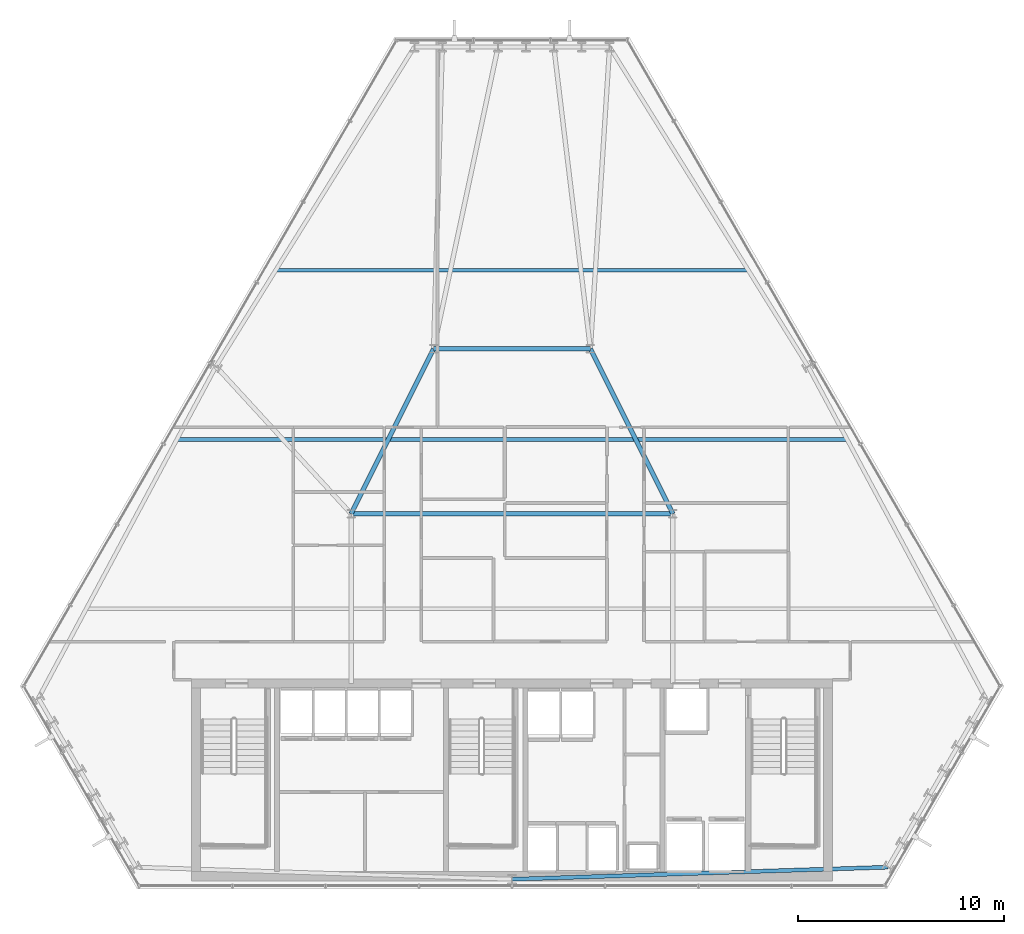
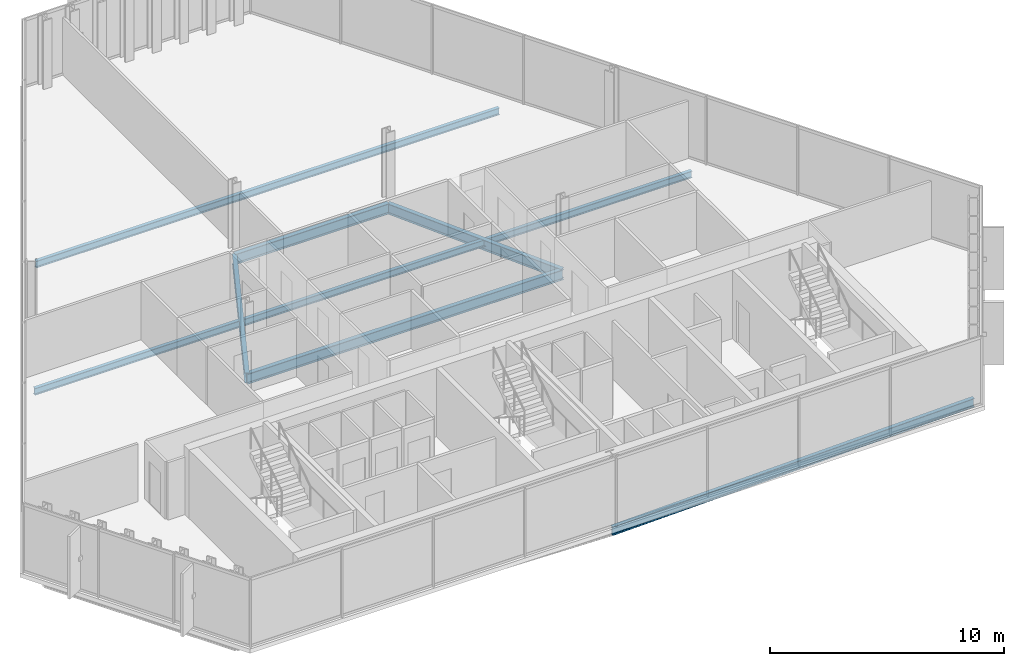
# One storey, part 15 of 33: 7 beams.
"""IFC4 building model written with IfcOpenShell, lengths in metres."""

import ifcopenshell
import ifcopenshell.guid

model = None  # the IFC model being written
_history = None  # IfcOwnerHistory: only IFC2X3 demands one
_inside = {}  # id of a spatial element -> (the spatial element, [elements in it])
_under = {}  # id of a project, library or spatial element -> (it, [spatial elements below it])
_declared = {}  # id of a project -> (the project, [libraries it declares])
_typed = {}  # id of a type object -> (the type object, [elements of that type])
_made_of = {}  # id of a material, layer set ... -> (it, [elements and type objects made of it])


def new_model(schema):
    """Start an empty IFC model of exactly this schema.

    Asked for "IFC4X3", IfcOpenShell would pick the latest addendum, in which some entities
    have other attributes; the version numbers below select the first issue.
    IFC2X3 requires an IfcOwnerHistory on every rooted entity: one is made here for all.
    """
    global model, _history
    if schema == "IFC4X3":
        model = ifcopenshell.file(schema_version=(4, 3, 0, 0))
    else:
        model = ifcopenshell.file(schema=schema)
    _inside.clear()
    _under.clear()
    _declared.clear()
    _typed.clear()
    _made_of.clear()
    _history = None
    if model.schema == "IFC2X3":
        org = make("IfcOrganization", Name="unknown")
        user = make(
            "IfcPersonAndOrganization",
            ThePerson=make("IfcPerson", FamilyName="unknown"),
            TheOrganization=org,
        )
        app = make(
            "IfcApplication",
            ApplicationDeveloper=org,
            Version="unknown",
            ApplicationFullName="unknown",
            ApplicationIdentifier="unknown",
        )
        _history = make(
            "IfcOwnerHistory",
            OwningUser=user,
            OwningApplication=app,
            ChangeAction="ADDED",
            CreationDate=0,
        )
    return model


def make(cls, **values):
    """One entity of the class cls with the attributes given. An attribute that is None is left unset."""
    return model.create_entity(
        cls, **{name: value for name, value in values.items() if value is not None}
    )


def rooted(cls, **values):
    """An entity with a GlobalId (a new one), such as an element, a storey or a relation."""
    return make(cls, GlobalId=ifcopenshell.guid.new(), OwnerHistory=_history, **values)


def si_unit(unit_type, name, prefix=None):
    """IfcSIUnit, for example si_unit("LENGTHUNIT", "METRE", prefix="MILLI")."""
    return make("IfcSIUnit", UnitType=unit_type, Prefix=prefix, Name=name)


def assignment(units):
    """IfcUnitAssignment: the units of a project."""
    return None if units is None else make("IfcUnitAssignment", Units=units)


def point(xyz):
    """IfcCartesianPoint."""
    return None if xyz is None else make("IfcCartesianPoint", Coordinates=xyz)


def direction(xyz):
    """IfcDirection."""
    return None if xyz is None else make("IfcDirection", DirectionRatios=xyz)


def frame(location, z_axis=None, x_axis=None):
    """IfcAxis2Placement3D, a coordinate frame: its origin and axes. An axis left out is left unset."""
    return make(
        "IfcAxis2Placement3D",
        Location=point(location),
        Axis=direction(z_axis),
        RefDirection=direction(x_axis),
    )


def frame_2d(location, x_axis=None):
    """IfcAxis2Placement2D, a coordinate frame in the plane: its origin and x axis."""
    return make(
        "IfcAxis2Placement2D", Location=point(location), RefDirection=direction(x_axis)
    )


def origin():
    """The frame at (0, 0, 0) with its axes left unset."""
    return frame((0.0, 0.0, 0.0))


def origin_2d():
    """The frame at (0, 0) in the plane with its x axis left unset."""
    return frame_2d((0.0, 0.0))


def place(relative_to, where):
    """IfcLocalPlacement: puts the frame where relative to a parent placement (None: the world)."""
    return make(
        "IfcLocalPlacement", PlacementRelTo=relative_to, RelativePlacement=where
    )


def context(
    kind, dimensions, precision=None, world=None, true_north=None, identifier=None
):
    """IfcGeometricRepresentationContext, for example the 3D "Model" context."""
    return make(
        "IfcGeometricRepresentationContext",
        ContextIdentifier=identifier,
        ContextType=kind,
        CoordinateSpaceDimension=dimensions,
        Precision=precision,
        WorldCoordinateSystem=world,
        TrueNorth=true_north,
    )


def subcontext(parent, identifier, kind, view, scale=None):
    """IfcGeometricRepresentationSubContext, for example "Body" below "Model"."""
    return make(
        "IfcGeometricRepresentationSubContext",
        ContextIdentifier=identifier,
        ContextType=kind,
        ParentContext=parent,
        TargetScale=scale,
        TargetView=view,
    )


def project(units=None, contexts=None):
    """IfcProject with its units and contexts."""
    return rooted(
        "IfcProject",
        Name="project",
        RepresentationContexts=contexts,
        UnitsInContext=assignment(units),
    )


def spatial(cls, under=None, at=None, **own):
    """A site, building, storey or space (cls), placed at a placement, below another one or the project."""
    s = rooted(cls, ObjectPlacement=at, **own)
    if under is not None:
        _under.setdefault(under.id(), (under, []))[1].append(s)
    return s


def profile(cls, at=None, kind="AREA", **sizes):
    """A parametric profile (cls). Its sizes go by their IFC names, for example OverallWidth=200.0."""
    return make(cls, ProfileType=kind, Position=at, **sizes)


def i_section(**sizes):
    """IfcIShapeProfileDef."""
    return profile("IfcIShapeProfileDef", **sizes)


def extrude(swept, where, along, depth):
    """IfcExtrudedAreaSolid: the profile swept, set in the frame where, extruded along a direction by depth."""
    return make(
        "IfcExtrudedAreaSolid",
        SweptArea=swept,
        Position=where,
        ExtrudedDirection=direction(along),
        Depth=depth,
    )


def shape(context_of_items, identifier, shape_type, items):
    """IfcShapeRepresentation: the items that make up one representation, for example the "Body"."""
    return make(
        "IfcShapeRepresentation",
        ContextOfItems=context_of_items,
        RepresentationIdentifier=identifier,
        RepresentationType=shape_type,
        Items=items,
    )


def material(Name=None, Category=None):
    """IfcMaterial."""
    return make("IfcMaterial", Name=Name, Category=Category)


def material_profile(
    of_material, cross_section, Name=None, Category=None, Priority=None
):
    """IfcMaterialProfile: a cross section and its material."""
    return make(
        "IfcMaterialProfile",
        Name=Name,
        Material=of_material,
        Profile=cross_section,
        Priority=Priority,
        Category=Category,
    )


def profile_set(profiles, Name=None, composite=None):
    """IfcMaterialProfileSet."""
    return make(
        "IfcMaterialProfileSet",
        Name=Name,
        MaterialProfiles=profiles,
        CompositeProfile=composite,
    )


def made_of(thing, what):
    """Note that an element or type object is made of a material, layer set ...; save() writes the relation."""
    if what is not None:
        _made_of.setdefault(what.id(), (what, []))[1].append(thing)
    return thing


def type_object(cls, material=None, **own):
    """A type object (cls), such as IfcWallType, which elements share."""
    return made_of(rooted(cls, **own), material)


def element(
    cls,
    number,
    at=None,
    inside=None,
    cuts=None,
    type_object=None,
    material=None,
    context=None,
    identifier="Body",
    shape_type=None,
    held_by="IfcProductDefinitionShape",
    body=None,
    shapes=None,
    **own,
):
    """One element of the class cls, such as IfcWall. Its Tag is "e" and its number.

    at: its placement. inside: the storey or other place that contains it. cuts: it is an
    opening in that element (IfcRelVoidsElement). A single representation is given by context,
    identifier, shape_type and body (its items); several are given by shapes. held_by: the class
    of the entity that holds the representations. save() writes the other relations.
    """
    e = rooted(cls, Tag="e%d" % number, ObjectPlacement=at, **own)
    if body is not None:
        shapes = [shape(context, identifier, shape_type, body)]
    if shapes is not None:
        e.Representation = make(held_by, Representations=shapes)
    if inside is not None:
        _inside.setdefault(inside.id(), (inside, []))[1].append(e)
    if cuts is not None:
        rooted(
            "IfcRelVoidsElement", RelatingBuildingElement=cuts, RelatedOpeningElement=e
        )
    if type_object is not None:
        _typed.setdefault(type_object.id(), (type_object, []))[1].append(e)
    return made_of(e, material)


def aggregate(whole, parts):
    """IfcRelAggregates: a whole, such as a stair, and the parts it consists of."""
    return rooted("IfcRelAggregates", RelatingObject=whole, RelatedObjects=parts)


def save(model, path):
    """Write the relations noted so far, then the file.

    IfcRelAggregates (storeys below a building ...), IfcRelContainedInSpatialStructure (elements
    in a storey), IfcRelDefinesByType, IfcRelAssociatesMaterial and IfcRelDeclares: one each for
    every whole, place, type object, material and project.
    """
    for whole, parts in _under.values():
        aggregate(whole, parts)
    for where, things in _inside.values():
        rooted(
            "IfcRelContainedInSpatialStructure",
            RelatedElements=things,
            RelatingStructure=where,
        )
    for kind, things in _typed.values():
        rooted("IfcRelDefinesByType", RelatedObjects=things, RelatingType=kind)
    for what, things in _made_of.values():
        rooted("IfcRelAssociatesMaterial", RelatedObjects=things, RelatingMaterial=what)
    for by, libraries in _declared.values():
        rooted("IfcRelDeclares", RelatingContext=by, RelatedDefinitions=libraries)
    model.write(path)


model = new_model("IFC4")

# Units and contexts
model_context = context("Model", 3, precision=1e-05, world=origin(), true_north=direction((0.0, 1.0)))
body_context = subcontext(model_context, "Body", "Model", "MODEL_VIEW")
ifc_project = project(units=[si_unit("LENGTHUNIT", "METRE"), si_unit("AREAUNIT", "SQUARE_METRE"), si_unit("VOLUMEUNIT", "CUBIC_METRE"), si_unit("PLANEANGLEUNIT", "RADIAN"), si_unit("MASSUNIT", "GRAM", prefix="KILO")], contexts=[model_context])

# Site, building, storey
site_placement = place(None, origin())
site = spatial("IfcSite", under=ifc_project, at=site_placement, CompositionType="ELEMENT")
building_placement = place(site_placement, origin())
building = spatial("IfcBuilding", under=site, at=building_placement, Name="Ndaravel Arena Tower", CompositionType="ELEMENT")
storey_placement = place(building_placement, frame((0.0, 0.0, 153.60009765625)))
storey = spatial("IfcBuildingStorey", under=building, at=storey_placement, Name="L36", CompositionType="ELEMENT", Elevation=153.60009765625)

# Beams
ifc_material_1 = material(Name="Steel S355", Category="steel")
ifc_material_profile_1 = material_profile(ifc_material_1, i_section(OverallWidth=0.210693359375, OverallDepth=0.53955078125, WebThickness=0.01171875, FlangeThickness=0.018798828125, FilletRadius=0.0126953125, at=origin_2d()), Name="UB 533x210x109")
ifc_profile_set_1 = profile_set([ifc_material_profile_1], Name="Steel S355")
beam_type_1 = type_object("IfcBeamType", Name="BM-GIRD-UB533", PredefinedType="BEAM", material=ifc_profile_set_1)
beam_1_placement = place(storey_placement, frame((34.199951171875, 23.199951171875, -0.48974609375), z_axis=(1.0, 0.0, 0.0), x_axis=(0.0, 1.0, 0.0)))
element("IfcBeam", 1, at=beam_1_placement, inside=storey, type_object=beam_type_1, Name="L36 Spine Link Girder SLG-03", PredefinedType="BEAM", context=body_context, shape_type="SweptSolid", body=[
    extrude(i_section(OverallWidth=0.210693359375, OverallDepth=0.53955078125, WebThickness=0.01171875, FlangeThickness=0.018798828125, FilletRadius=0.0126953125, at=origin_2d()), origin(), (0.0, 0.0, 1.0), 15.60009765625),
])
for number, where, z_axis, x_axis, name in (
    (2, (34.199951171875, 23.199951171875, -0.48974609375), (0.4472135955, 0.894427191, 0.0), (-0.894427191, 0.4472135955, 0.0), "L36 Spine Link Girder SLG-04"),
    (3, (49.800048828125, 23.199951171875, -0.48974609375), (-0.4472135955, 0.894427191, 0.0), (-0.894427191, -0.4472135955, 0.0), "L36 Spine Link Girder SLG-05"),
):
    element("IfcBeam", number, at=place(storey_placement, frame(where, z_axis=z_axis, x_axis=x_axis)), inside=storey, type_object=beam_type_1, Name=name, PredefinedType="BEAM", context=body_context, shape_type="SweptSolid", body=[
        extrude(i_section(OverallWidth=0.210693359375, OverallDepth=0.53955078125, WebThickness=0.01171875, FlangeThickness=0.018798828125, FilletRadius=0.0126953125, at=origin_2d()), origin(), (0.0, 0.0, 1.0), 8.9443359375),
    ])
beam_2_placement = place(storey_placement, frame((38.199951171875, 31.199951171875, -0.48974609375), z_axis=(1.0, 0.0, 0.0), x_axis=(0.0, 1.0, 0.0)))
element("IfcBeam", 4, at=beam_2_placement, inside=storey, type_object=beam_type_1, Name="L36 Spine Link Girder SLG-06", PredefinedType="BEAM", context=body_context, shape_type="SweptSolid", body=[
    extrude(i_section(OverallWidth=0.210693359375, OverallDepth=0.53955078125, WebThickness=0.01171875, FlangeThickness=0.018798828125, FilletRadius=0.0126953125, at=origin_2d()), origin(), (0.0, 0.0, 1.0), 7.60009765625),
])
ifc_material_2 = material(Name="Steel S355", Category="steel")
ifc_material_profile_2 = material_profile(ifc_material_2, i_section(OverallWidth=0.172119140625, OverallDepth=0.35791015625, WebThickness=0.008056640625, FlangeThickness=0.012939453125, FilletRadius=0.01025390625, at=origin_2d()), Name="UB 356x171x57")
ifc_profile_set_2 = profile_set([ifc_material_profile_2], Name="Steel S355")
beam_type_2 = type_object("IfcBeamType", Name="BM-JOIST-UB356", PredefinedType="JOIST", material=ifc_profile_set_2)
beam_3_placement = place(storey_placement, frame((25.75244140625, 26.800048828125, -0.399169921875), z_axis=(1.0, 0.0, 0.0), x_axis=(0.0, 1.0, 0.0)))
element("IfcBeam", 5, at=beam_3_placement, inside=storey, type_object=beam_type_2, Name="L36 Composite Floor Joist FJ-02", PredefinedType="JOIST", context=body_context, shape_type="SweptSolid", body=[
    extrude(i_section(OverallWidth=0.172119140625, OverallDepth=0.35791015625, WebThickness=0.008056640625, FlangeThickness=0.012939453125, FilletRadius=0.01025390625, at=origin_2d()), origin(), (0.0, 0.0, 1.0), 32.4951171875),
])
beam_4_placement = place(storey_placement, frame((30.541259765625, 35.0, -0.399169921875), z_axis=(1.0, 0.0, 0.0), x_axis=(0.0, 1.0, 0.0)))
element("IfcBeam", 6, at=beam_4_placement, inside=storey, type_object=beam_type_2, Name="L36 Composite Floor Joist FJ-03", PredefinedType="JOIST", context=body_context, shape_type="SweptSolid", body=[
    extrude(i_section(OverallWidth=0.172119140625, OverallDepth=0.35791015625, WebThickness=0.008056640625, FlangeThickness=0.012939453125, FilletRadius=0.01025390625, at=origin_2d()), origin(), (0.0, 0.0, 1.0), 22.91748046875),
])
ifc_material_3 = material(Name="Steel S355", Category="steel")
ifc_material_profile_3 = material_profile(ifc_material_3, i_section(OverallWidth=0.18994140625, OverallDepth=0.449951171875, WebThickness=0.009521484375, FlangeThickness=0.0146484375, FilletRadius=0.02099609375, at=origin_2d()), Name="IPE 450")
ifc_profile_set_3 = profile_set([ifc_material_profile_3], Name="Steel S355")
beam_type_3 = type_object("IfcBeamType", Name="BM-SPAN-IPE450", PredefinedType="SPANDREL", material=ifc_profile_set_3)
beam_5_placement = place(storey_placement, frame((42.0, 5.47998046875, -0.445068359375), z_axis=(0.999485097772, 0.032086435317, 0.0), x_axis=(-0.032086435317, 0.999485097772, 0.0)))
element("IfcBeam", 7, at=beam_5_placement, inside=storey, type_object=beam_type_3, Name="L36 Perimeter Spandrel Beam SP-01", PredefinedType="SPANDREL", context=body_context, shape_type="SweptSolid", body=[
    extrude(i_section(OverallWidth=0.18994140625, OverallDepth=0.449951171875, WebThickness=0.009521484375, FlangeThickness=0.0146484375, FilletRadius=0.02099609375, at=origin_2d()), origin(), (0.0, 0.0, 1.0), 18.23828125),
])

save(model, "model.ifc")
